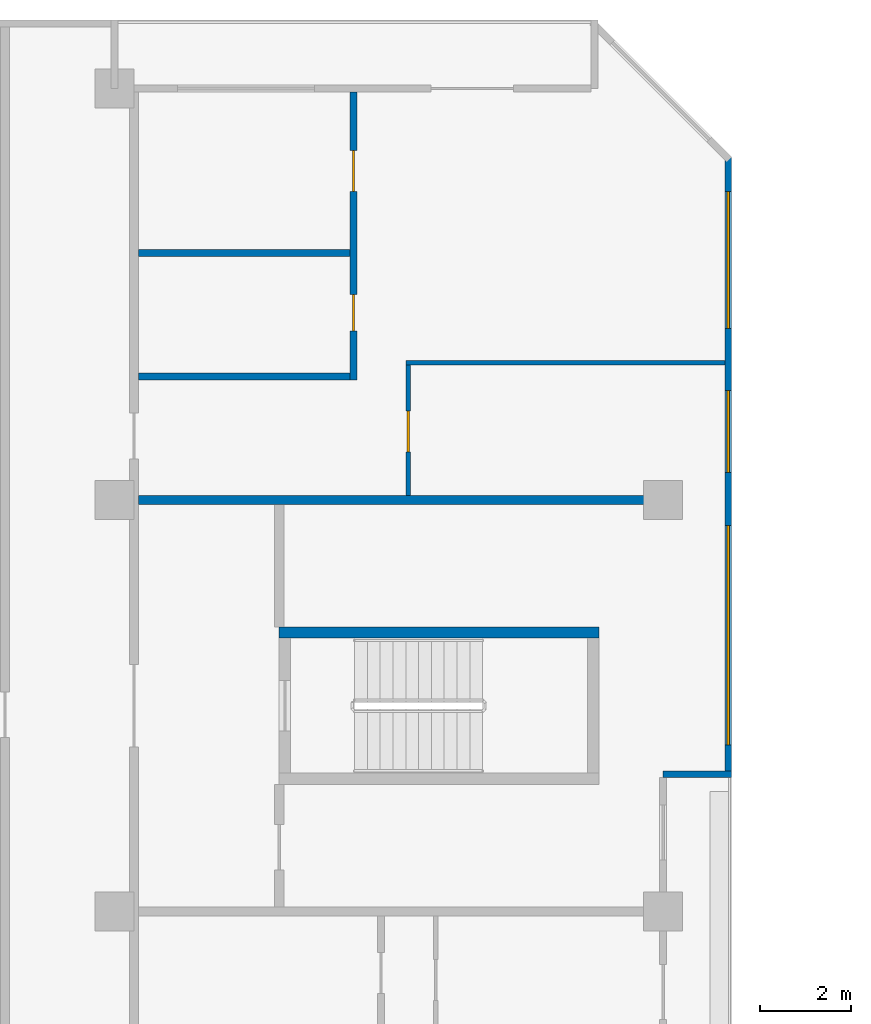
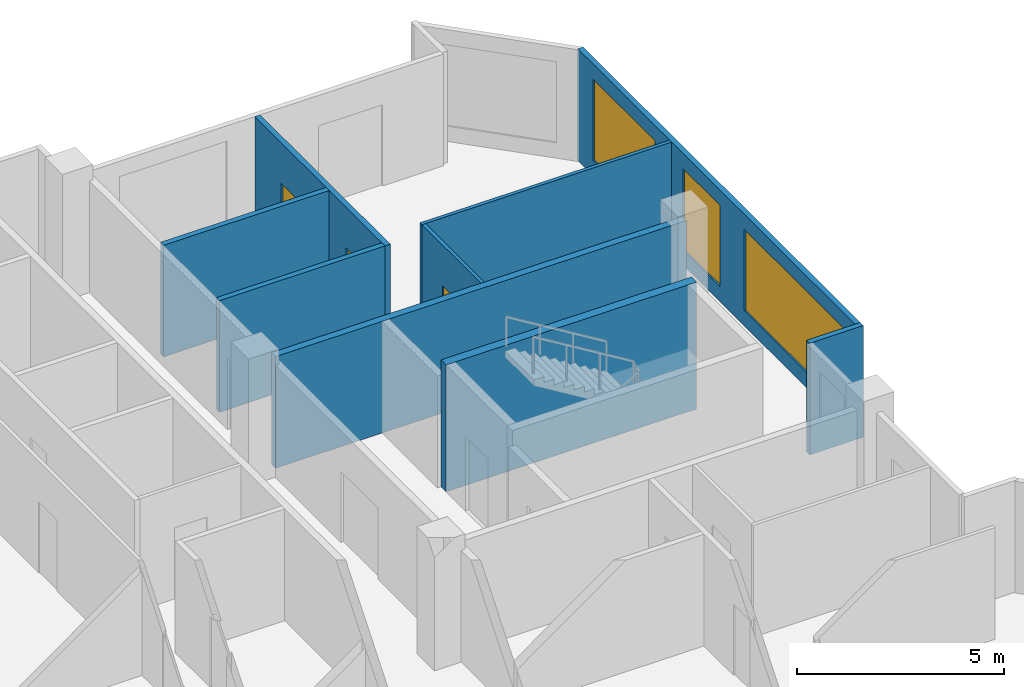
# One storey, part 11 of 15: 9 walls, 3 doors, 3 windows, 6 openings.
"""IFC4 building model written with IfcOpenShell, lengths in metres."""

from ifc_helpers import new_model, si_unit, direction, frame, frame_2d, origin, place, context, subcontext, project, spatial, rectangle, extrude, material, layer, layer_set, type_object, element, fill, save


model = new_model("IFC4")

# Units and contexts
model_context = context("Model", 3, precision=1e-05, world=origin(), true_north=direction((0.0, 1.0)))
body_context = subcontext(model_context, "Body", "Model", "MODEL_VIEW")
ifc_project = project(units=[si_unit("LENGTHUNIT", "METRE"), si_unit("AREAUNIT", "SQUARE_METRE"), si_unit("VOLUMEUNIT", "CUBIC_METRE"), si_unit("PLANEANGLEUNIT", "RADIAN"), si_unit("MASSUNIT", "GRAM", prefix="KILO")], contexts=[model_context])

# Site, building, storey
site_placement = place(None, origin())
site = spatial("IfcSite", under=ifc_project, at=site_placement, CompositionType="ELEMENT")
building_placement = place(site_placement, origin())
building = spatial("IfcBuilding", under=site, at=building_placement, Name="Chenar Terraces", CompositionType="ELEMENT")
storey_placement = place(building_placement, frame((0.0, 0.0, 252.89990234375)))
storey = spatial("IfcBuildingStorey", under=building, at=storey_placement, Name="L60", CompositionType="ELEMENT", Elevation=252.89990234375)

# Wall
ifc_material_1 = material(Name="Concrete C60/75", Category="concrete")
ifc_layer_1 = layer(ifc_material_1, 0.25)
ifc_layer_set_1 = layer_set([ifc_layer_1], Name="Concrete C60/75")
wall_type_1 = type_object("IfcWallType", Name="Core wall 250 Concrete C60/75", PredefinedType="SHEAR", material=ifc_layer_set_1)
wall_1_placement = place(storey_placement, frame((15.60009765625, 51.10009765625, 0.0), z_axis=(0.0, 0.0, 1.0), x_axis=(1.0, 0.0, 0.0)))
element("IfcWall", 1, at=wall_1_placement, inside=storey, type_object=wall_type_1, Name="Core wall ST4_N L60", PredefinedType="SHEAR", context=body_context, shape_type="SweptSolid", body=[
    extrude(rectangle(XDim=7.0, YDim=0.25, at=frame_2d((3.5, 0.0))), origin(), (0.0, 0.0, 1.0), 3.75),
])

# Wall, openings, windows
ifc_material_2 = material(Name="Aluminium framed glazing", Category="aluminium")
ifc_layer_2 = layer(ifc_material_2, 0.14990234375)
ifc_layer_set_2 = layer_set([ifc_layer_2], Name="Aluminium framed glazing")
wall_type_2 = type_object("IfcWallType", Name="Glazed flush facade wall 150", PredefinedType="SOLIDWALL", material=ifc_layer_set_2)
wall_2_placement = place(storey_placement, frame((25.425048828125, 48.074951171875, 0.0), z_axis=(0.0, 0.0, 1.0), x_axis=(0.0, 1.0, 0.0)))
wall_2 = element("IfcWall", 2, at=wall_2_placement, inside=storey, type_object=wall_type_2, Name="Glazed flush facade wall", PredefinedType="SOLIDWALL", context=body_context, shape_type="SweptSolid", body=[
    extrude(rectangle(XDim=13.425048828125, YDim=0.14990234375, at=frame_2d((6.71240234375, 0.0))), origin(), (0.0, 0.0, 1.0), 3.300048828125),
])
opening_1_placement = place(wall_2_placement, frame((0.5625, 0.0, 0.449951171875)))
opening_1 = element("IfcOpeningElement", 3, at=opening_1_placement, cuts=wall_2, Name="Opening W480x240", PredefinedType="OPENING", context=body_context, shape_type="SweptSolid", body=[
    extrude(rectangle(XDim=4.800048828125, YDim=2.39990234375, at=frame_2d((2.39990234375, 1.199951171875))), frame((0.0, 0.0849609375, 0.0), z_axis=(0.0, -1.0, 0.0), x_axis=(1.0, 0.0, 0.0)), (0.0, 0.0, 1.0), 0.169921875),
])
opening_2_placement = place(wall_2_placement, frame((6.52490234375, 0.0, 0.449951171875)))
opening_2 = element("IfcOpeningElement", 4, at=opening_2_placement, cuts=wall_2, Name="Opening W180x240", PredefinedType="OPENING", context=body_context, shape_type="SweptSolid", body=[
    extrude(rectangle(XDim=1.800048828125, YDim=2.39990234375, at=frame_2d((0.89990234375, 1.199951171875))), frame((0.0, 0.0849609375, 0.0), z_axis=(0.0, -1.0, 0.0), x_axis=(1.0, 0.0, 0.0)), (0.0, 0.0, 1.0), 0.169921875),
])
opening_3_placement = place(wall_2_placement, frame((9.675048828125, 0.0, 0.449951171875)))
opening_3 = element("IfcOpeningElement", 5, at=opening_3_placement, cuts=wall_2, Name="Opening W300x240", PredefinedType="OPENING", context=body_context, shape_type="SweptSolid", body=[
    extrude(rectangle(XDim=3.0, YDim=2.39990234375, at=frame_2d((1.5, 1.199951171875))), frame((0.0, 0.0849609375, 0.0), z_axis=(0.0, -1.0, 0.0), x_axis=(1.0, 0.0, 0.0)), (0.0, 0.0, 1.0), 0.169921875),
])
ifc_material_3 = material(Name="Low emissivity double glazing, aluminium frame", Category="aluminium")
window_type_1 = type_object("IfcWindowType", Name="Fixed light 1800 x 2400", PartitioningType="SINGLE_PANEL", PredefinedType="WINDOW", material=ifc_material_3)
window_1_placement = place(opening_2_placement, origin())
window_1 = element("IfcWindow", 6, at=window_1_placement, inside=storey, type_object=window_type_1, Name="Window", OverallHeight=2.39990234375, OverallWidth=1.800048828125, PartitioningType="SINGLE_PANEL", PredefinedType="WINDOW", context=body_context, shape_type="SweptSolid", body=[
    extrude(rectangle(XDim=1.800048828125, YDim=2.39990234375, at=frame_2d((0.89990234375, 1.199951171875))), frame((0.0, 0.030029296875, 0.0), z_axis=(0.0, -1.0, 0.0), x_axis=(1.0, 0.0, 0.0)), (0.0, 0.0, 1.0), 0.06005859375),
])
fill(opening_2, window_1)
ifc_material_4 = material(Name="Low emissivity double glazing, aluminium frame", Category="aluminium")
window_type_2 = type_object("IfcWindowType", Name="Fixed light 3000 x 2400", PartitioningType="SINGLE_PANEL", PredefinedType="WINDOW", material=ifc_material_4)
window_2_placement = place(opening_3_placement, origin())
window_2 = element("IfcWindow", 7, at=window_2_placement, inside=storey, type_object=window_type_2, Name="Window", OverallHeight=2.39990234375, OverallWidth=3.0, PartitioningType="SINGLE_PANEL", PredefinedType="WINDOW", context=body_context, shape_type="SweptSolid", body=[
    extrude(rectangle(XDim=3.0, YDim=2.39990234375, at=frame_2d((1.5, 1.199951171875))), frame((0.0, 0.030029296875, 0.0), z_axis=(0.0, -1.0, 0.0), x_axis=(1.0, 0.0, 0.0)), (0.0, 0.0, 1.0), 0.06005859375),
])
fill(opening_3, window_2)
ifc_material_5 = material(Name="Low emissivity double glazing, aluminium frame", Category="aluminium")
window_type_3 = type_object("IfcWindowType", Name="Fixed light 4800 x 2400", PartitioningType="SINGLE_PANEL", PredefinedType="WINDOW", material=ifc_material_5)
window_3_placement = place(opening_1_placement, origin())
window_3 = element("IfcWindow", 8, at=window_3_placement, inside=storey, type_object=window_type_3, Name="Window", OverallHeight=2.39990234375, OverallWidth=4.800048828125, PartitioningType="SINGLE_PANEL", PredefinedType="WINDOW", context=body_context, shape_type="SweptSolid", body=[
    extrude(rectangle(XDim=4.800048828125, YDim=2.39990234375, at=frame_2d((2.39990234375, 1.199951171875))), frame((0.0, 0.030029296875, 0.0), z_axis=(0.0, -1.0, 0.0), x_axis=(1.0, 0.0, 0.0)), (0.0, 0.0, 1.0), 0.06005859375),
])
fill(opening_1, window_3)

# Wall
ifc_material_6 = material(Name="Gypsum board on steel studs", Category="steel")
ifc_layer_3 = layer(ifc_material_6, 0.10009765625)
ifc_layer_set_3 = layer_set([ifc_layer_3], Name="Gypsum board on steel studs")
wall_type_3 = type_object("IfcWallType", Name="Gypsum partition 100", PredefinedType="PARTITIONING", material=ifc_layer_set_3)
wall_3_placement = place(storey_placement, frame((18.375, 57.0, 0.0), z_axis=(0.0, 0.0, 1.0), x_axis=(1.0, 0.0, 0.0)))
element("IfcWall", 9, at=wall_3_placement, inside=storey, type_object=wall_type_3, Name="Partition L60-050", PredefinedType="PARTITIONING", context=body_context, shape_type="SweptSolid", body=[
    extrude(rectangle(XDim=6.97509765625, YDim=0.10009765625, at=frame_2d((3.487548828125, 0.0))), origin(), (0.0, 0.0, 1.0), 3.300048828125),
])

# Wall, opening, door
wall_4_placement = place(storey_placement, frame((18.425048828125, 54.10009765625, 0.0), z_axis=(0.0, 0.0, 1.0), x_axis=(0.0, 1.0, 0.0)))
wall_4 = element("IfcWall", 10, at=wall_4_placement, inside=storey, type_object=wall_type_3, Name="Partition L60-051", PredefinedType="PARTITIONING", context=body_context, shape_type="SweptSolid", body=[
    extrude(rectangle(XDim=2.849853515625, YDim=0.10009765625, at=frame_2d((1.4248046875, 0.0))), origin(), (0.0, 0.0, 1.0), 3.300048828125),
])
opening_4_placement = place(wall_4_placement, frame((0.949951171875, 0.0, 0.0)))
opening_4 = element("IfcOpeningElement", 11, at=opening_4_placement, cuts=wall_4, Name="Opening DL60-23", PredefinedType="OPENING", context=body_context, shape_type="SweptSolid", body=[
    extrude(rectangle(XDim=0.89990234375, YDim=2.10009765625, at=frame_2d((0.449951171875, 1.050048828125))), frame((0.0, 0.06005859375, 0.0), z_axis=(0.0, -1.0, 0.0), x_axis=(1.0, 0.0, 0.0)), (0.0, 0.0, 1.0), 0.1201171875),
])
ifc_material_7 = material(Name="Veneered timber door leaf", Category="wood")
door_type_1 = type_object("IfcDoorType", Name="Door 900 x 2100", OperationType="SINGLE_SWING_LEFT", PredefinedType="DOOR", material=ifc_material_7)
door_1_placement = place(opening_4_placement, frame((0.89990234375, 0.0, 0.0), z_axis=(0.0, 0.0, 1.0), x_axis=(-1.0, 0.0, 0.0)))
door_1 = element("IfcDoor", 12, at=door_1_placement, inside=storey, type_object=door_type_1, Name="Door DL60-23", OperationType="SINGLE_SWING_LEFT", OverallHeight=2.10009765625, OverallWidth=0.89990234375, PredefinedType="DOOR", context=body_context, shape_type="SweptSolid", body=[
    extrude(rectangle(XDim=0.89990234375, YDim=2.10009765625, at=frame_2d((0.449951171875, 1.050048828125))), frame((0.0, 0.02490234375, 0.0), z_axis=(0.0, -1.0, 0.0), x_axis=(1.0, 0.0, 0.0)), (0.0, 0.0, 1.0), 0.050048828125),
])
fill(opening_4, door_1)

# Walls
ifc_material_8 = material(Name="Terracotta cladding on insulated backing", Category="masonry")
ifc_layer_4 = layer(ifc_material_8, 0.14990234375)
ifc_layer_set_4 = layer_set([ifc_layer_4], Name="Terracotta cladding on insulated backing")
wall_type_4 = type_object("IfcWallType", Name="Loggia return wall 150", PredefinedType="SOLIDWALL", material=ifc_layer_set_4)
wall_5_placement = place(storey_placement, frame((25.5, 48.0, 0.0), z_axis=(0.0, 0.0, 1.0), x_axis=(-1.0, 0.0, 0.0)))
element("IfcWall", 13, at=wall_5_placement, inside=storey, type_object=wall_type_4, Name="Loggia return wall", PredefinedType="SOLIDWALL", context=body_context, shape_type="SweptSolid", body=[
    extrude(rectangle(XDim=1.5, YDim=0.14990234375, at=frame_2d((0.75, 0.0))), origin(), (0.0, 0.0, 1.0), 3.300048828125),
])
ifc_material_9 = material(Name="Twin gypsum board on steel studs with mineral wool", Category="steel")
ifc_layer_5 = layer(ifc_material_9, 0.199951171875)
ifc_layer_set_5 = layer_set([ifc_layer_5], Name="Twin gypsum board on steel studs with mineral wool")
wall_type_5 = type_object("IfcWallType", Name="Unit demising wall 200", PredefinedType="PARTITIONING", material=ifc_layer_set_5)
wall_6_placement = place(storey_placement, frame((12.52490234375, 54.0, 0.0), z_axis=(0.0, 0.0, 1.0), x_axis=(1.0, 0.0, 0.0)))
element("IfcWall", 14, at=wall_6_placement, inside=storey, type_object=wall_type_5, Name="Partition L60-043", PredefinedType="PARTITIONING", context=body_context, shape_type="SweptSolid", body=[
    extrude(rectangle(XDim=11.47509765625, YDim=0.199951171875, at=frame_2d((5.737548828125, 0.0))), origin(), (0.0, 0.0, 1.0), 3.300048828125),
])
ifc_material_10 = material(Name="Moisture-resistant gypsum board on steel studs", Category="steel")
ifc_layer_6 = layer(ifc_material_10, 0.14990234375)
ifc_layer_set_6 = layer_set([ifc_layer_6], Name="Moisture-resistant gypsum board on steel studs")
wall_type_6 = type_object("IfcWallType", Name="Wet-room partition 150", PredefinedType="PARTITIONING", material=ifc_layer_set_6)
for number, where, z_axis, x_axis, name in (
    (15, (12.52490234375, 56.699951171875, 0.0), (0.0, 0.0, 1.0), (1.0, 0.0, 0.0), "Partition L60-044"),
    (16, (12.52490234375, 59.39990234375, 0.0), (0.0, 0.0, 1.0), (1.0, 0.0, 0.0), "Partition L60-045"),
):
    element("IfcWall", number, at=place(storey_placement, frame(where, z_axis=z_axis, x_axis=x_axis)), inside=storey, type_object=wall_type_6, Name=name, PredefinedType="PARTITIONING", context=body_context, shape_type="SweptSolid", body=[
        extrude(rectangle(XDim=4.625, YDim=0.14990234375, at=frame_2d((2.3125, 0.0))), origin(), (0.0, 0.0, 1.0), 3.300048828125),
    ])

# Wall, openings, doors
wall_7_placement = place(storey_placement, frame((17.22509765625, 56.625, 0.0), z_axis=(0.0, 0.0, 1.0), x_axis=(0.0, 1.0, 0.0)))
wall_7 = element("IfcWall", 17, at=wall_7_placement, inside=storey, type_object=wall_type_6, Name="Partition L60-048", PredefinedType="PARTITIONING", context=body_context, shape_type="SweptSolid", body=[
    extrude(rectangle(XDim=6.301025390625, YDim=0.14990234375, at=frame_2d((3.150390625, 0.0))), origin(), (0.0, 0.0, 1.0), 3.300048828125),
])
opening_5_placement = place(wall_7_placement, frame((1.074951171875, 0.0, 0.0)))
opening_5 = element("IfcOpeningElement", 18, at=opening_5_placement, cuts=wall_7, Name="Opening DL60-22", PredefinedType="OPENING", context=body_context, shape_type="SweptSolid", body=[
    extrude(rectangle(XDim=0.800048828125, YDim=2.10009765625, at=frame_2d((0.39990234375, 1.050048828125))), frame((0.0, 0.0849609375, 0.0), z_axis=(0.0, -1.0, 0.0), x_axis=(1.0, 0.0, 0.0)), (0.0, 0.0, 1.0), 0.169921875),
])
opening_6_placement = place(wall_7_placement, frame((4.125, 0.0, 0.0)))
opening_6 = element("IfcOpeningElement", 19, at=opening_6_placement, cuts=wall_7, Name="Opening DL60-24", PredefinedType="OPENING", context=body_context, shape_type="SweptSolid", body=[
    extrude(rectangle(XDim=0.89990234375, YDim=2.10009765625, at=frame_2d((0.449951171875, 1.050048828125))), frame((0.0, 0.0849609375, 0.0), z_axis=(0.0, -1.0, 0.0), x_axis=(1.0, 0.0, 0.0)), (0.0, 0.0, 1.0), 0.169921875),
])
ifc_material_11 = material(Name="Veneered timber door leaf", Category="wood")
door_type_2 = type_object("IfcDoorType", Name="Door 800 x 2100", OperationType="SINGLE_SWING_LEFT", PredefinedType="DOOR", material=ifc_material_11)
door_2_placement = place(opening_5_placement, origin())
door_2 = element("IfcDoor", 20, at=door_2_placement, inside=storey, type_object=door_type_2, Name="Door DL60-22", OperationType="SINGLE_SWING_RIGHT", OverallHeight=2.10009765625, OverallWidth=0.800048828125, PredefinedType="DOOR", context=body_context, shape_type="SweptSolid", body=[
    extrude(rectangle(XDim=0.800048828125, YDim=2.10009765625, at=frame_2d((0.39990234375, 1.050048828125))), frame((0.0, 0.02490234375, 0.0), z_axis=(0.0, -1.0, 0.0), x_axis=(1.0, 0.0, 0.0)), (0.0, 0.0, 1.0), 0.050048828125),
])
fill(opening_5, door_2)
door_3_placement = place(opening_6_placement, origin())
door_3 = element("IfcDoor", 21, at=door_3_placement, inside=storey, type_object=door_type_1, Name="Door DL60-24", OperationType="SINGLE_SWING_LEFT", OverallHeight=2.10009765625, OverallWidth=0.89990234375, PredefinedType="DOOR", context=body_context, shape_type="SweptSolid", body=[
    extrude(rectangle(XDim=0.89990234375, YDim=2.10009765625, at=frame_2d((0.449951171875, 1.050048828125))), frame((0.0, 0.02490234375, 0.0), z_axis=(0.0, -1.0, 0.0), x_axis=(1.0, 0.0, 0.0)), (0.0, 0.0, 1.0), 0.050048828125),
])
fill(opening_6, door_3)

save(model, "model.ifc")
